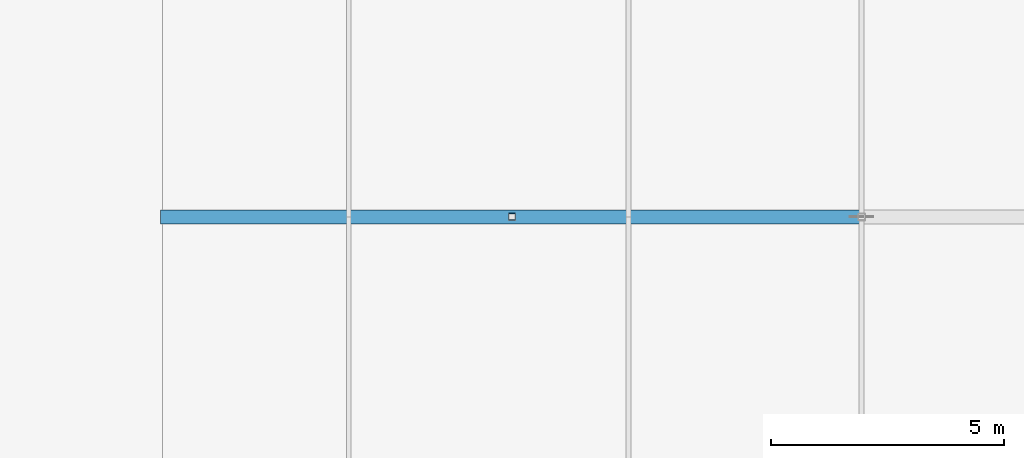
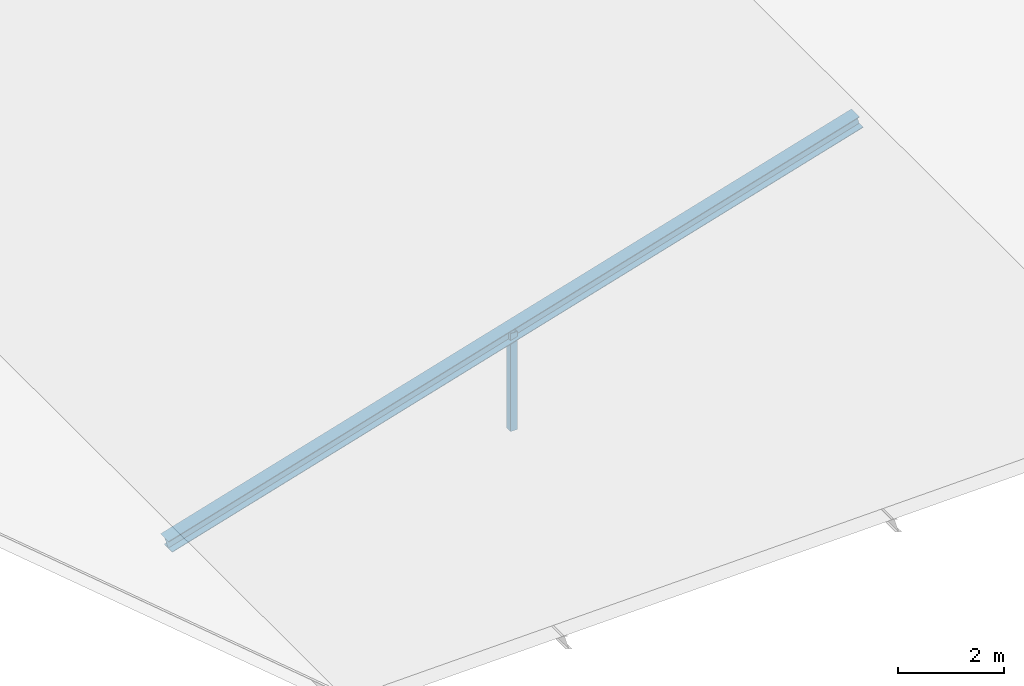
# One storey, part 51 of 204: 2 members.
"""IFC4 building model written with IfcOpenShell, lengths in metres."""

from ifc_helpers import new_model, si_unit, direction, frame, origin, origin_2d, place, context, subcontext, project, spatial, hollow_rectangle, i_section, extrude, material, material_profile, profile_set, type_object, element, save


model = new_model("IFC4")

# Units and contexts
model_context = context("Model", 3, precision=1e-05, world=origin(), true_north=direction((0.0, 1.0)))
body_context = subcontext(model_context, "Body", "Model", "MODEL_VIEW")
ifc_project = project(units=[si_unit("LENGTHUNIT", "METRE"), si_unit("AREAUNIT", "SQUARE_METRE"), si_unit("VOLUMEUNIT", "CUBIC_METRE"), si_unit("PLANEANGLEUNIT", "RADIAN"), si_unit("MASSUNIT", "GRAM", prefix="KILO")], contexts=[model_context])

# Site, building, storey
site_placement = place(None, origin())
site = spatial("IfcSite", under=ifc_project, at=site_placement, CompositionType="ELEMENT")
building_placement = place(site_placement, origin())
building = spatial("IfcBuilding", under=site, at=building_placement, Name="Zilviju Railside Exhibition Hall", CompositionType="ELEMENT")
storey_placement = place(building_placement, frame((0.0, 0.0, 21.0)))
storey = spatial("IfcBuildingStorey", under=building, at=storey_placement, Name="RF", CompositionType="ELEMENT", Elevation=21.0)

# Members
ifc_material = material(Name="Steel S355J2", Category="steel")
ifc_material_profile_1 = material_profile(ifc_material, hollow_rectangle(XDim=0.14990234375, YDim=0.14990234375, WallThickness=0.008056640625, at=origin_2d()), Name="SHS 150x150x8.0")
ifc_profile_set_1 = profile_set([ifc_material_profile_1], Name="Steel S355J2")
member_type_1 = type_object("IfcMemberType", Name="TR-POST-SHS150", PredefinedType="POST", material=ifc_profile_set_1)
member_1_placement = place(storey_placement, frame((55.5, 66.0, -8.39990234375), z_axis=(0.0, 0.0, 1.0), x_axis=(1.0, 0.0, 0.0)))
element("IfcMember", 1, at=member_1_placement, inside=storey, type_object=member_type_1, Name="Concourse Saddle Queen Post Y=66.0", PredefinedType="POST", context=body_context, shape_type="SweptSolid", body=[
    extrude(hollow_rectangle(XDim=0.14990234375, YDim=0.14990234375, WallThickness=0.008056640625, at=origin_2d()), origin(), (0.0, 0.0, 1.0), 2.25),
])
ifc_material_profile_2 = material_profile(ifc_material, i_section(OverallWidth=0.300048828125, OverallDepth=0.2900390625, WebThickness=0.008544921875, FlangeThickness=0.013916015625, at=origin_2d()), Name="HEA 300")
ifc_profile_set_2 = profile_set([ifc_material_profile_2], Name="Steel S355J2")
member_type_2 = type_object("IfcMemberType", Name="TR-RAF-HEA300", PredefinedType="RAFTER", material=ifc_profile_set_2)
member_2_placement = place(storey_placement, frame((48.0, 66.0, -8.39990234375), z_axis=(0.957826285221, 0.0, 0.287347885566), x_axis=(0.0, 1.0, 0.0)))
element("IfcMember", 2, at=member_2_placement, inside=storey, type_object=member_type_2, Name="Concourse Saddle West Rafter Y=66.0", PredefinedType="RAFTER", context=body_context, shape_type="SweptSolid", body=[
    extrude(i_section(OverallWidth=0.300048828125, OverallDepth=0.2900390625, WebThickness=0.008544921875, FlangeThickness=0.013916015625, at=origin_2d()), origin(), (0.0, 0.0, 1.0), 15.660400390625),
])

save(model, "model.ifc")
